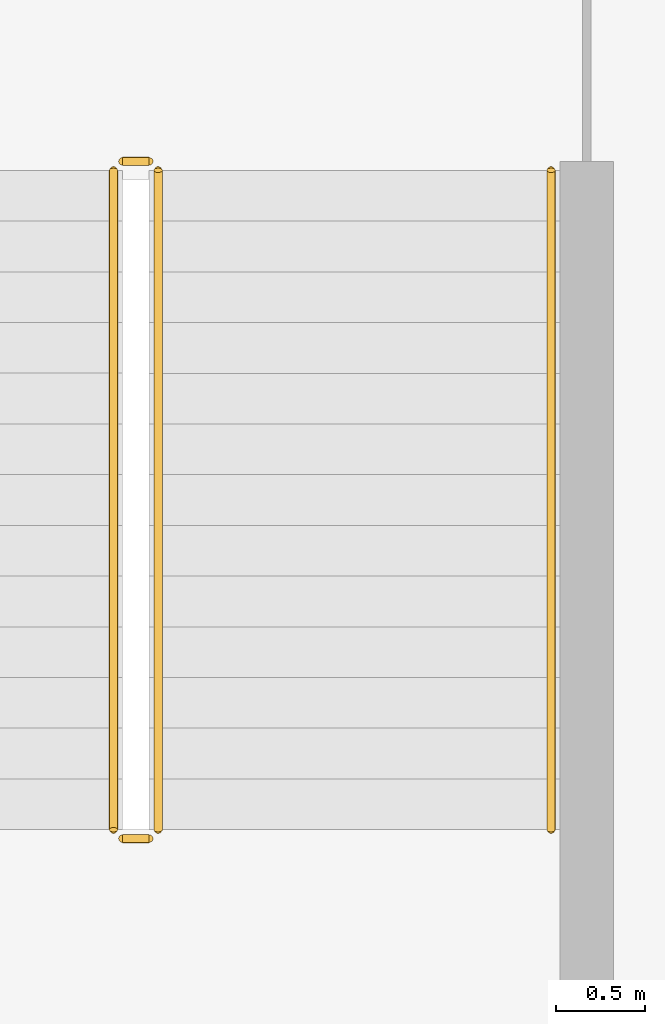
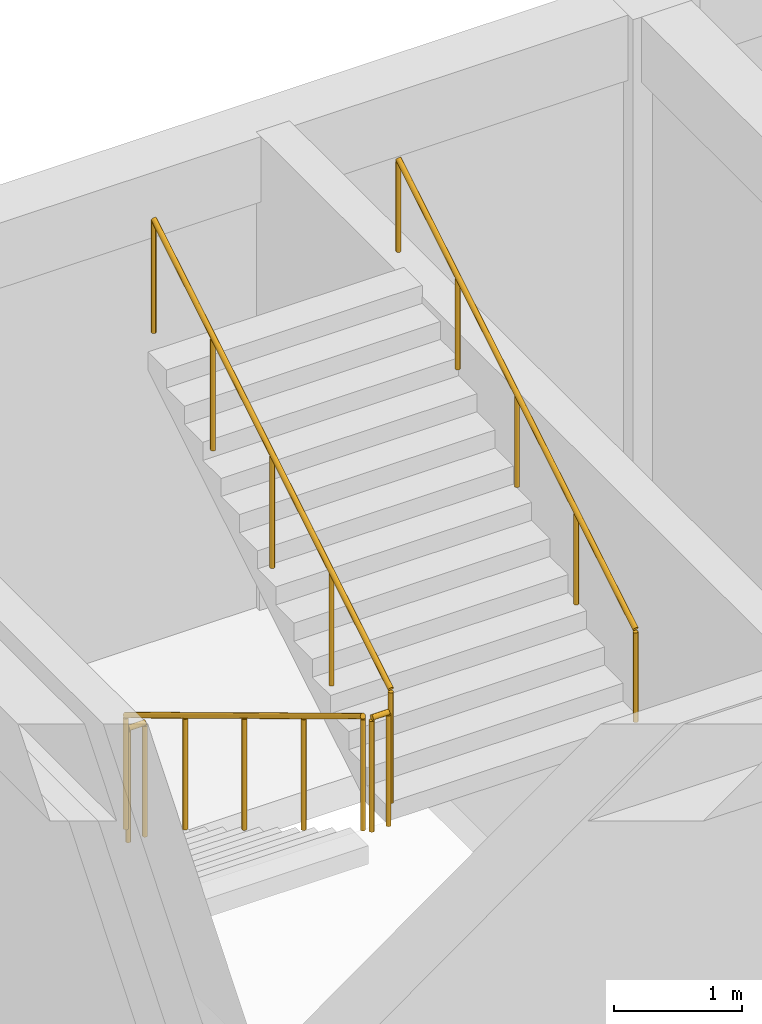
# One storey, part 25 of 27: 5 railings.
"""IFC4 building model written with IfcOpenShell, lengths in metres."""

from ifc_helpers import new_model, si_unit, direction, frame, origin, origin_2d, place, context, subcontext, project, spatial, circle, extrude, material, type_object, element, save


model = new_model("IFC4")

# Units and contexts
model_context = context("Model", 3, precision=1e-05, world=origin(), true_north=direction((0.0, 1.0)))
body_context = subcontext(model_context, "Body", "Model", "MODEL_VIEW")
ifc_project = project(units=[si_unit("LENGTHUNIT", "METRE"), si_unit("AREAUNIT", "SQUARE_METRE"), si_unit("VOLUMEUNIT", "CUBIC_METRE"), si_unit("PLANEANGLEUNIT", "RADIAN"), si_unit("MASSUNIT", "GRAM", prefix="KILO")], contexts=[model_context])

# Site, building, storey
site_placement = place(None, origin())
site = spatial("IfcSite", under=ifc_project, at=site_placement, CompositionType="ELEMENT")
building_placement = place(site_placement, origin())
building = spatial("IfcBuilding", under=site, at=building_placement, Name="Dhurran Vertical Campus", CompositionType="ELEMENT")
storey_placement = place(building_placement, frame((0.0, 0.0, 10.800048828125)))
storey = spatial("IfcBuildingStorey", under=building, at=storey_placement, Name="L02", CompositionType="ELEMENT", Elevation=10.800048828125)

# Railings
ifc_material_1 = material(Name="Steel S355J2H", Category="steel")
railing_type_1 = type_object("IfcRailingType", Name="hl-stair guard 1100", PredefinedType="GUARDRAIL", material=ifc_material_1)
railing_1_placement = place(storey_placement, frame((73.39990234375, 24.550048828125, 0.17138671875)))
element("IfcRailing", 1, at=railing_1_placement, inside=storey, type_object=railing_type_1, Name="L02 HST3 stair guard 1", PredefinedType="GUARDRAIL", context=body_context, shape_type="SweptSolid", body=[
    extrude(circle(Radius=0.02392578125, at=origin_2d()), frame((0.0, 0.0, 1.076171875), z_axis=(0.0, -0.85613627591, 0.516750110858), x_axis=(1.0, 0.0, 0.0)), (0.0, 0.0, 1.0), 4.3125),
    extrude(circle(Radius=0.02099609375, at=origin_2d()), origin(), (0.0, 0.0, 1.0), 1.052001953125),
    extrude(circle(Radius=0.02099609375, at=origin_2d()), frame((0.0, -0.923095703125, 0.55712890625)), (0.0, 0.0, 1.0), 1.052001953125),
    extrude(circle(Radius=0.02099609375, at=origin_2d()), frame((0.0, -1.84619140625, 1.1142578125)), (0.0, 0.0, 1.0), 1.052001953125),
    extrude(circle(Radius=0.02099609375, at=origin_2d()), frame((0.0, -2.76904296875, 1.67138671875)), (0.0, 0.0, 1.0), 1.052001953125),
    extrude(circle(Radius=0.02099609375, at=origin_2d()), frame((0.0, -3.692138671875, 2.228515625)), (0.0, 0.0, 1.0), 1.052001953125),
])
railing_2_placement = place(storey_placement, frame((73.449951171875, 20.80810546875, 2.39990234375)))
element("IfcRailing", 2, at=railing_2_placement, inside=storey, type_object=railing_type_1, Name="L02 HST3 stair guard 2", PredefinedType="GUARDRAIL", context=body_context, shape_type="SweptSolid", body=[
    extrude(circle(Radius=0.02392578125, at=origin_2d()), frame((0.0, 0.0, 1.076171875), z_axis=(1.0, 0.0, 0.0), x_axis=(0.0, 1.0, 0.0)), (0.0, 0.0, 1.0), 0.150146484375),
    extrude(circle(Radius=0.02099609375, at=origin_2d()), origin(), (0.0, 0.0, 1.0), 1.052001953125),
    extrude(circle(Radius=0.02099609375, at=origin_2d()), frame((0.150146484375, 0.0, 0.0)), (0.0, 0.0, 1.0), 1.052001953125),
])
railing_3_placement = place(storey_placement, frame((73.64990234375, 20.85791015625, 2.5712890625)))
element("IfcRailing", 3, at=railing_3_placement, inside=storey, type_object=railing_type_1, Name="L02 HST3 stair guard 3", PredefinedType="GUARDRAIL", context=body_context, shape_type="SweptSolid", body=[
    extrude(circle(Radius=0.02392578125, at=origin_2d()), frame((0.0, 0.0, 1.076171875), z_axis=(0.0, 0.856111230211, 0.516791603557), x_axis=(-1.0, 0.0, 0.0)), (0.0, 0.0, 1.0), 4.312744140625),
    extrude(circle(Radius=0.02099609375, at=origin_2d()), origin(), (0.0, 0.0, 1.0), 1.052001953125),
    extrude(circle(Radius=0.02099609375, at=origin_2d()), frame((0.0, 0.923095703125, 0.55712890625)), (0.0, 0.0, 1.0), 1.052001953125),
    extrude(circle(Radius=0.02099609375, at=origin_2d()), frame((0.0, 1.84619140625, 1.1142578125)), (0.0, 0.0, 1.0), 1.052001953125),
    extrude(circle(Radius=0.02099609375, at=origin_2d()), frame((0.0, 2.76904296875, 1.671630859375)), (0.0, 0.0, 1.0), 1.052001953125),
    extrude(circle(Radius=0.02099609375, at=origin_2d()), frame((0.0, 3.692138671875, 2.228759765625)), (0.0, 0.0, 1.0), 1.052001953125),
])
railing_4_placement = place(storey_placement, frame((73.449951171875, 24.60009765625, 0.0)))
element("IfcRailing", 4, at=railing_4_placement, inside=storey, type_object=railing_type_1, Name="L02 HST3 stair guard 4", PredefinedType="GUARDRAIL", context=body_context, shape_type="SweptSolid", body=[
    extrude(circle(Radius=0.02392578125, at=origin_2d()), frame((0.0, 0.0, 1.076171875), z_axis=(1.0, 0.0, 0.0), x_axis=(0.0, 1.0, 0.0)), (0.0, 0.0, 1.0), 0.150146484375),
    extrude(circle(Radius=0.02099609375, at=origin_2d()), origin(), (0.0, 0.0, 1.0), 1.052001953125),
    extrude(circle(Radius=0.02099609375, at=origin_2d()), frame((0.150146484375, 0.0, 0.0)), (0.0, 0.0, 1.0), 1.052001953125),
])
ifc_material_2 = material(Name="Steel S355J2H", Category="steel")
railing_type_2 = type_object("IfcRailingType", Name="hl-stair handrail", PredefinedType="HANDRAIL", material=ifc_material_2)
railing_5_placement = place(storey_placement, frame((75.85009765625, 20.85791015625, 2.5712890625)))
element("IfcRailing", 5, at=railing_5_placement, inside=storey, type_object=railing_type_2, Name="L02 HST3 stair handrail 2", PredefinedType="HANDRAIL", context=body_context, shape_type="SweptSolid", body=[
    extrude(circle(Radius=0.02392578125, at=origin_2d()), frame((0.0, 0.0, 0.8759765625), z_axis=(0.0, 0.856111230211, 0.516791603557), x_axis=(-1.0, 0.0, 0.0)), (0.0, 0.0, 1.0), 4.312744140625),
    extrude(circle(Radius=0.02099609375, at=origin_2d()), origin(), (0.0, 0.0, 1.0), 0.851806640625),
    extrude(circle(Radius=0.02099609375, at=origin_2d()), frame((0.0, 0.923095703125, 0.55712890625)), (0.0, 0.0, 1.0), 0.851806640625),
    extrude(circle(Radius=0.02099609375, at=origin_2d()), frame((0.0, 1.84619140625, 1.1142578125)), (0.0, 0.0, 1.0), 0.851806640625),
    extrude(circle(Radius=0.02099609375, at=origin_2d()), frame((0.0, 2.76904296875, 1.671630859375)), (0.0, 0.0, 1.0), 0.851806640625),
    extrude(circle(Radius=0.02099609375, at=origin_2d()), frame((0.0, 3.692138671875, 2.228759765625)), (0.0, 0.0, 1.0), 0.851806640625),
])

save(model, "model.ifc")
